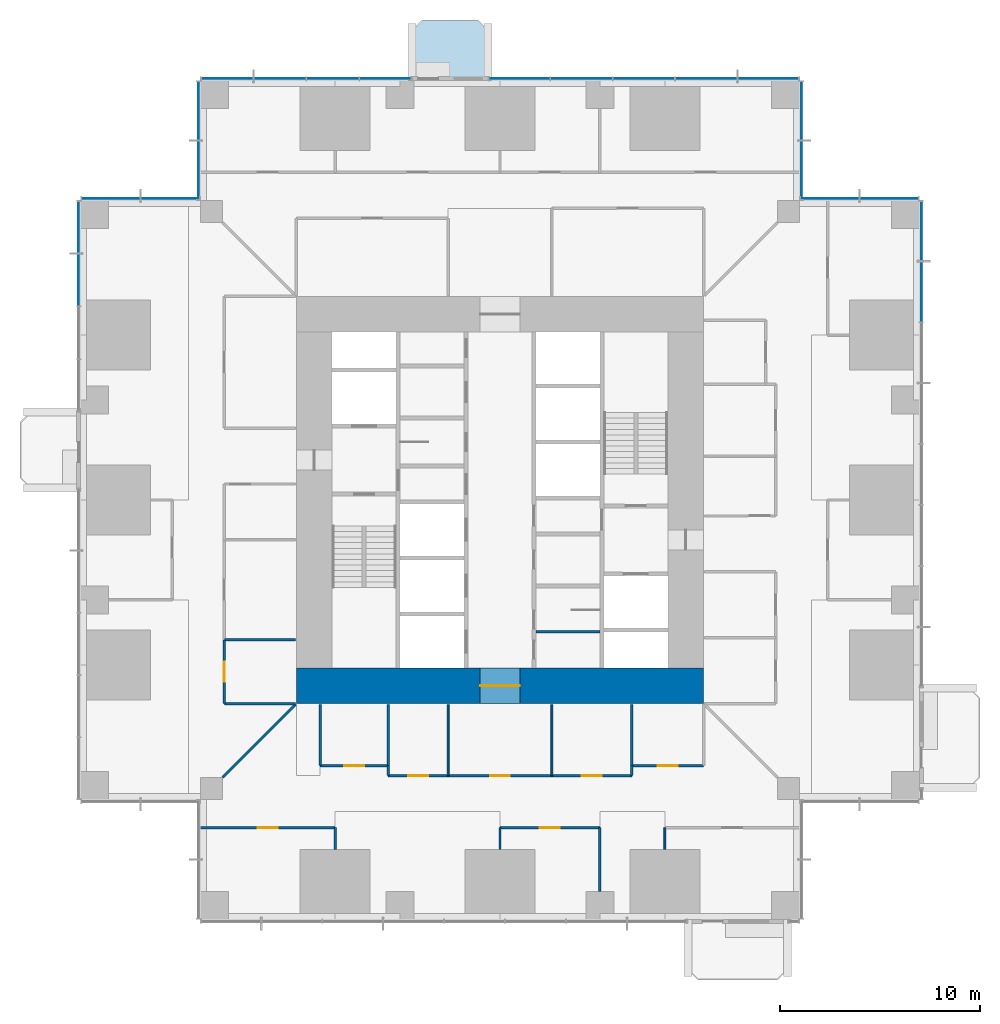
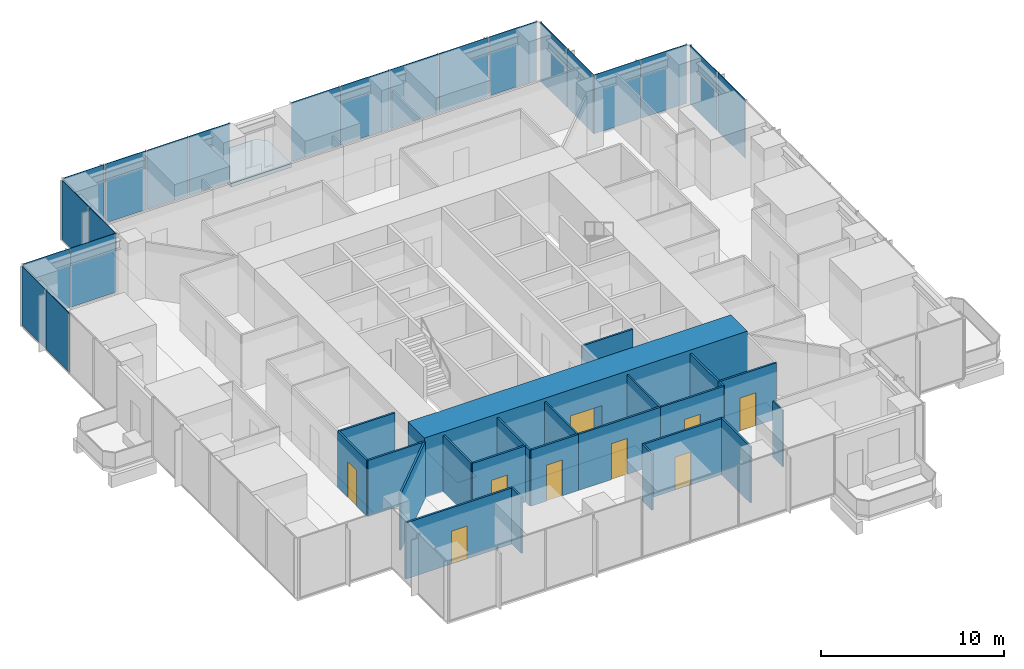
# One storey, part 9 of 16: 24 walls, 21 plates, 9 doors, 1 slab, 9 openings, 8 elements without a shape of their own.
"""IFC4 building model written with IfcOpenShell, lengths in metres."""

from ifc_helpers import new_model, si_unit, direction, frame, frame_2d, origin, origin_2d, place, context, subcontext, project, spatial, polyline, rectangle, outline, extrude, material, layer, layer_set, type_object, element, fill, aggregate, save


model = new_model("IFC4")

# Units and contexts
model_context = context("Model", 3, precision=1e-05, world=origin(), true_north=direction((0.0, 1.0)))
body_context = subcontext(model_context, "Body", "Model", "MODEL_VIEW")
ifc_project = project(units=[si_unit("LENGTHUNIT", "METRE"), si_unit("AREAUNIT", "SQUARE_METRE"), si_unit("VOLUMEUNIT", "CUBIC_METRE"), si_unit("PLANEANGLEUNIT", "RADIAN"), si_unit("MASSUNIT", "GRAM", prefix="KILO")], contexts=[model_context])

# Site, building, storey
site_placement = place(None, origin())
site = spatial("IfcSite", under=ifc_project, at=site_placement, CompositionType="ELEMENT")
building_placement = place(site_placement, origin())
building = spatial("IfcBuilding", under=site, at=building_placement, Name="Svetlomir Tower", CompositionType="ELEMENT")
storey_placement = place(building_placement, frame((0.0, 0.0, 50.5)))
storey = spatial("IfcBuildingStorey", under=building, at=storey_placement, Name="L11", CompositionType="ELEMENT", Elevation=50.5)

# Slab
ifc_material_1 = material(Name="Concrete C60/75", Category="concrete")
ifc_layer_1 = layer(ifc_material_1, 0.25)
ifc_layer_set_1 = layer_set([ifc_layer_1], Name="Concrete C60/75")
slab_type = type_object("IfcSlabType", Name="BALCONY SLAB 250", PredefinedType="FLOOR", material=ifc_layer_set_1)
slab_placement = place(storey_placement, frame((0.0, 0.0, -0.25)))
element("IfcSlab", 1, at=slab_placement, inside=storey, type_object=slab_type, Name="L11 N planted balcony", PredefinedType="FLOOR", context=body_context, shape_type="SweptSolid", body=[
    extrude(outline(polyline([(16.60009765625, 42.0), (20.39990234375, 42.0), (20.39990234375, 44.5), (19.89990234375, 45.0), (17.10009765625, 45.0), (16.60009765625, 44.5), (16.60009765625, 42.0)])), origin(), (0.0, 0.0, 1.0), 0.25),
])

# Curtain wall, plates
ifc_material_2 = material(Name="Bronze anodised aluminium curtain wall", Category="aluminium")
curtain_wall_type = type_object("IfcCurtainWallType", Name="CURTAIN WALL CW1 TOWER OFFICE", PredefinedType="NOTDEFINED", material=ifc_material_2)
curtain_wall_1_placement = place(storey_placement, origin())
curtain_wall_1 = element("IfcCurtainWall", 2, at=curtain_wall_1_placement, inside=storey, type_object=curtain_wall_type, Name="Curtain wall CW1 L11", PredefinedType="NOTDEFINED")
ifc_material_3 = material(Name="Tinted double glazed unit", Category="glass")
ifc_layer_2 = layer(ifc_material_3, 0.031982421875)
ifc_layer_set_2 = layer_set([ifc_layer_2], Name="Tinted double glazed unit")
plate_type = type_object("IfcPlateType", Name="CW1 GLAZED PANEL 32", PredefinedType="CURTAIN_PANEL", material=ifc_layer_set_2)
plate_1_placement = place(storey_placement, frame((42.10009765625, 31.425048828125, 0.06494140625), z_axis=(0.0, 0.0, 1.0), x_axis=(0.0, 1.0, 0.0)))
plate_1 = element("IfcPlate", 3, at=plate_1_placement, type_object=plate_type, Name="CW1 panel 7.1", PredefinedType="CURTAIN_PANEL", context=body_context, shape_type="SweptSolid", body=[
    extrude(rectangle(XDim=2.985107421875, YDim=0.031982421875, at=origin_2d()), origin(), (0.0, 0.0, 1.0), 3.93505859375),
])
plate_2_placement = place(storey_placement, frame((42.10009765625, 34.458740234375, 0.06494140625), z_axis=(0.0, 0.0, 1.0), x_axis=(0.0, 1.0, 0.0)))
plate_2 = element("IfcPlate", 4, at=plate_2_placement, type_object=plate_type, Name="CW1 panel 8.1", PredefinedType="CURTAIN_PANEL", context=body_context, shape_type="SweptSolid", body=[
    extrude(rectangle(XDim=2.952392578125, YDim=0.031982421875, at=origin_2d()), origin(), (0.0, 0.0, 1.0), 3.93505859375),
])
aggregate(curtain_wall_1, [plate_1, plate_2])

curtain_wall_2_placement = place(storey_placement, origin())
curtain_wall_2 = element("IfcCurtainWall", 5, at=curtain_wall_2_placement, inside=storey, type_object=curtain_wall_type, Name="Curtain wall CW1 L11", PredefinedType="NOTDEFINED")
plate_3_placement = place(storey_placement, frame((40.483642578125, 36.10009765625, 0.06494140625), z_axis=(0.0, 0.0, 1.0), x_axis=(-1.0, 0.0, 0.0)))
plate_3 = element("IfcPlate", 6, at=plate_3_placement, type_object=plate_type, Name="CW1 panel 1.1", PredefinedType="CURTAIN_PANEL", context=body_context, shape_type="SweptSolid", body=[
    extrude(rectangle(XDim=2.902587890625, YDim=0.031982421875, at=origin_2d()), origin(), (0.0, 0.0, 1.0), 3.93505859375),
])
plate_4_placement = place(storey_placement, frame((37.516357421875, 36.10009765625, 0.06494140625), z_axis=(0.0, 0.0, 1.0), x_axis=(-1.0, 0.0, 0.0)))
plate_4 = element("IfcPlate", 7, at=plate_4_placement, type_object=plate_type, Name="CW1 panel 2.1", PredefinedType="CURTAIN_PANEL", context=body_context, shape_type="SweptSolid", body=[
    extrude(rectangle(XDim=2.902587890625, YDim=0.031982421875, at=origin_2d()), origin(), (0.0, 0.0, 1.0), 3.93505859375),
])
aggregate(curtain_wall_2, [plate_3, plate_4])

curtain_wall_3_placement = place(storey_placement, origin())
curtain_wall_3 = element("IfcCurtainWall", 8, at=curtain_wall_3_placement, inside=storey, type_object=curtain_wall_type, Name="Curtain wall CW1 L11", PredefinedType="NOTDEFINED")
plate_5_placement = place(storey_placement, frame((36.10009765625, 37.516357421875, 0.06494140625), z_axis=(0.0, 0.0, 1.0), x_axis=(0.0, 1.0, 0.0)))
plate_5 = element("IfcPlate", 9, at=plate_5_placement, type_object=plate_type, Name="CW1 panel 1.1", PredefinedType="CURTAIN_PANEL", context=body_context, shape_type="SweptSolid", body=[
    extrude(rectangle(XDim=2.902587890625, YDim=0.031982421875, at=origin_2d()), origin(), (0.0, 0.0, 1.0), 3.93505859375),
])
plate_6_placement = place(storey_placement, frame((36.10009765625, 40.483642578125, 0.06494140625), z_axis=(0.0, 0.0, 1.0), x_axis=(0.0, 1.0, 0.0)))
plate_6 = element("IfcPlate", 10, at=plate_6_placement, type_object=plate_type, Name="CW1 panel 2.1", PredefinedType="CURTAIN_PANEL", context=body_context, shape_type="SweptSolid", body=[
    extrude(rectangle(XDim=2.902587890625, YDim=0.031982421875, at=origin_2d()), origin(), (0.0, 0.0, 1.0), 3.93505859375),
])
aggregate(curtain_wall_3, [plate_5, plate_6])

curtain_wall_4_placement = place(storey_placement, origin())
curtain_wall_4 = element("IfcCurtainWall", 11, at=curtain_wall_4_placement, inside=storey, type_object=curtain_wall_type, Name="Curtain wall CW1 L11", PredefinedType="NOTDEFINED")
plate_7_placement = place(storey_placement, frame((34.423828125, 42.10009765625, 0.06494140625), z_axis=(0.0, 0.0, 1.0), x_axis=(-1.0, 0.0, 0.0)))
plate_7 = element("IfcPlate", 12, at=plate_7_placement, type_object=plate_type, Name="CW1 panel 1.1", PredefinedType="CURTAIN_PANEL", context=body_context, shape_type="SweptSolid", body=[
    extrude(rectangle(XDim=3.0224609375, YDim=0.031982421875, at=origin_2d()), origin(), (0.0, 0.0, 1.0), 3.93505859375),
])
plate_8_placement = place(storey_placement, frame((31.320068359375, 42.10009765625, 0.06494140625), z_axis=(0.0, 0.0, 1.0), x_axis=(-1.0, 0.0, 0.0)))
plate_8 = element("IfcPlate", 13, at=plate_8_placement, type_object=plate_type, Name="CW1 panel 2.1", PredefinedType="CURTAIN_PANEL", context=body_context, shape_type="SweptSolid", body=[
    extrude(rectangle(XDim=3.054931640625, YDim=0.031982421875, at=origin_2d()), origin(), (0.0, 0.0, 1.0), 3.93505859375),
])
plate_9_placement = place(storey_placement, frame((28.199951171875, 42.10009765625, 0.06494140625), z_axis=(0.0, 0.0, 1.0), x_axis=(-1.0, 0.0, 0.0)))
plate_9 = element("IfcPlate", 14, at=plate_9_placement, type_object=plate_type, Name="CW1 panel 3.1", PredefinedType="CURTAIN_PANEL", context=body_context, shape_type="SweptSolid", body=[
    extrude(rectangle(XDim=3.054931640625, YDim=0.031982421875, at=origin_2d()), origin(), (0.0, 0.0, 1.0), 3.93505859375),
])
plate_10_placement = place(storey_placement, frame((25.080078125, 42.10009765625, 0.06494140625), z_axis=(0.0, 0.0, 1.0), x_axis=(-1.0, 0.0, 0.0)))
plate_10 = element("IfcPlate", 15, at=plate_10_placement, type_object=plate_type, Name="CW1 panel 4.1", PredefinedType="CURTAIN_PANEL", context=body_context, shape_type="SweptSolid", body=[
    extrude(rectangle(XDim=3.054931640625, YDim=0.031982421875, at=origin_2d()), origin(), (0.0, 0.0, 1.0), 3.93505859375),
])
plate_11_placement = place(storey_placement, frame((21.976318359375, 42.10009765625, 0.06494140625), z_axis=(0.0, 0.0, 1.0), x_axis=(-1.0, 0.0, 0.0)))
plate_11 = element("IfcPlate", 16, at=plate_11_placement, type_object=plate_type, Name="CW1 panel 5.1", PredefinedType="CURTAIN_PANEL", context=body_context, shape_type="SweptSolid", body=[
    extrude(rectangle(XDim=3.0224609375, YDim=0.031982421875, at=origin_2d()), origin(), (0.0, 0.0, 1.0), 3.93505859375),
])
aggregate(curtain_wall_4, [plate_7, plate_8, plate_9, plate_10, plate_11])

curtain_wall_5_placement = place(storey_placement, origin())
curtain_wall_5 = element("IfcCurtainWall", 17, at=curtain_wall_5_placement, inside=storey, type_object=curtain_wall_type, Name="Curtain wall CW1 L11", PredefinedType="NOTDEFINED")
plate_12_placement = place(storey_placement, frame((15.2587890625, 42.10009765625, 0.06494140625), z_axis=(0.0, 0.0, 1.0), x_axis=(-1.0, 0.0, 0.0)))
plate_12 = element("IfcPlate", 18, at=plate_12_placement, type_object=plate_type, Name="CW1 panel 1.1", PredefinedType="CURTAIN_PANEL", context=body_context, shape_type="SweptSolid", body=[
    extrude(rectangle(XDim=2.552490234375, YDim=0.031982421875, at=origin_2d()), origin(), (0.0, 0.0, 1.0), 3.93505859375),
])
plate_13_placement = place(storey_placement, frame((12.625, 42.10009765625, 0.06494140625), z_axis=(0.0, 0.0, 1.0), x_axis=(-1.0, 0.0, 0.0)))
plate_13 = element("IfcPlate", 19, at=plate_13_placement, type_object=plate_type, Name="CW1 panel 2.1", PredefinedType="CURTAIN_PANEL", context=body_context, shape_type="SweptSolid", body=[
    extrude(rectangle(XDim=2.5849609375, YDim=0.031982421875, at=origin_2d()), origin(), (0.0, 0.0, 1.0), 3.93505859375),
])
plate_14_placement = place(storey_placement, frame((9.97509765625, 42.10009765625, 0.06494140625), z_axis=(0.0, 0.0, 1.0), x_axis=(-1.0, 0.0, 0.0)))
plate_14 = element("IfcPlate", 20, at=plate_14_placement, type_object=plate_type, Name="CW1 panel 3.1", PredefinedType="CURTAIN_PANEL", context=body_context, shape_type="SweptSolid", body=[
    extrude(rectangle(XDim=2.5849609375, YDim=0.031982421875, at=origin_2d()), origin(), (0.0, 0.0, 1.0), 3.93505859375),
])
plate_15_placement = place(storey_placement, frame((7.34130859375, 42.10009765625, 0.06494140625), z_axis=(0.0, 0.0, 1.0), x_axis=(-1.0, 0.0, 0.0)))
plate_15 = element("IfcPlate", 21, at=plate_15_placement, type_object=plate_type, Name="CW1 panel 4.1", PredefinedType="CURTAIN_PANEL", context=body_context, shape_type="SweptSolid", body=[
    extrude(rectangle(XDim=2.552490234375, YDim=0.031982421875, at=origin_2d()), origin(), (0.0, 0.0, 1.0), 3.93505859375),
])
aggregate(curtain_wall_5, [plate_12, plate_13, plate_14, plate_15])

curtain_wall_6_placement = place(storey_placement, origin())
curtain_wall_6 = element("IfcCurtainWall", 22, at=curtain_wall_6_placement, inside=storey, type_object=curtain_wall_type, Name="Curtain wall CW1 L11", PredefinedType="NOTDEFINED")
plate_16_placement = place(storey_placement, frame((5.89990234375, 40.483642578125, 0.06494140625), z_axis=(0.0, 0.0, 1.0), x_axis=(0.0, -1.0, 0.0)))
plate_16 = element("IfcPlate", 23, at=plate_16_placement, type_object=plate_type, Name="CW1 panel 1.1", PredefinedType="CURTAIN_PANEL", context=body_context, shape_type="SweptSolid", body=[
    extrude(rectangle(XDim=2.902587890625, YDim=0.031982421875, at=origin_2d()), origin(), (0.0, 0.0, 1.0), 3.93505859375),
])
plate_17_placement = place(storey_placement, frame((5.89990234375, 37.516357421875, 0.06494140625), z_axis=(0.0, 0.0, 1.0), x_axis=(0.0, -1.0, 0.0)))
plate_17 = element("IfcPlate", 24, at=plate_17_placement, type_object=plate_type, Name="CW1 panel 2.1", PredefinedType="CURTAIN_PANEL", context=body_context, shape_type="SweptSolid", body=[
    extrude(rectangle(XDim=2.902587890625, YDim=0.031982421875, at=origin_2d()), origin(), (0.0, 0.0, 1.0), 3.93505859375),
])
aggregate(curtain_wall_6, [plate_16, plate_17])

curtain_wall_7_placement = place(storey_placement, origin())
curtain_wall_7 = element("IfcCurtainWall", 25, at=curtain_wall_7_placement, inside=storey, type_object=curtain_wall_type, Name="Curtain wall CW1 L11", PredefinedType="NOTDEFINED")
plate_18_placement = place(storey_placement, frame((4.483642578125, 36.10009765625, 0.06494140625), z_axis=(0.0, 0.0, 1.0), x_axis=(-1.0, 0.0, 0.0)))
plate_18 = element("IfcPlate", 26, at=plate_18_placement, type_object=plate_type, Name="CW1 panel 1.1", PredefinedType="CURTAIN_PANEL", context=body_context, shape_type="SweptSolid", body=[
    extrude(rectangle(XDim=2.902587890625, YDim=0.031982421875, at=origin_2d()), origin(), (0.0, 0.0, 1.0), 3.93505859375),
])
plate_19_placement = place(storey_placement, frame((1.516357421875, 36.10009765625, 0.06494140625), z_axis=(0.0, 0.0, 1.0), x_axis=(-1.0, 0.0, 0.0)))
plate_19 = element("IfcPlate", 27, at=plate_19_placement, type_object=plate_type, Name="CW1 panel 2.1", PredefinedType="CURTAIN_PANEL", context=body_context, shape_type="SweptSolid", body=[
    extrude(rectangle(XDim=2.902587890625, YDim=0.031982421875, at=origin_2d()), origin(), (0.0, 0.0, 1.0), 3.93505859375),
])
aggregate(curtain_wall_7, [plate_18, plate_19])

curtain_wall_8_placement = place(storey_placement, origin())
curtain_wall_8 = element("IfcCurtainWall", 28, at=curtain_wall_8_placement, inside=storey, type_object=curtain_wall_type, Name="Curtain wall CW1 L11", PredefinedType="NOTDEFINED")
plate_20_placement = place(storey_placement, frame((-0.10009765625, 34.65869140625, 0.06494140625), z_axis=(0.0, 0.0, 1.0), x_axis=(0.0, -1.0, 0.0)))
plate_20 = element("IfcPlate", 29, at=plate_20_placement, type_object=plate_type, Name="CW1 panel 1.1", PredefinedType="CURTAIN_PANEL", context=body_context, shape_type="SweptSolid", body=[
    extrude(rectangle(XDim=2.552490234375, YDim=0.031982421875, at=origin_2d()), origin(), (0.0, 0.0, 1.0), 3.93505859375),
])
plate_21_placement = place(storey_placement, frame((-0.10009765625, 32.02490234375, 0.06494140625), z_axis=(0.0, 0.0, 1.0), x_axis=(0.0, -1.0, 0.0)))
plate_21 = element("IfcPlate", 30, at=plate_21_placement, type_object=plate_type, Name="CW1 panel 2.1", PredefinedType="CURTAIN_PANEL", context=body_context, shape_type="SweptSolid", body=[
    extrude(rectangle(XDim=2.5849609375, YDim=0.031982421875, at=origin_2d()), origin(), (0.0, 0.0, 1.0), 3.93505859375),
])
aggregate(curtain_wall_8, [plate_20, plate_21])

# Wall, opening, door
ifc_material_4 = material(Name="Concrete C60/75", Category="concrete")
ifc_layer_3 = layer(ifc_material_4, 1.800048828125)
ifc_layer_set_3 = layer_set([ifc_layer_3], Name="Concrete C60/75")
wall_type_1 = type_object("IfcWallType", Name="CORE WALL 1800", PredefinedType="SHEAR", material=ifc_layer_set_3)
wall_1_placement = place(storey_placement, frame((10.800048828125, 11.699951171875, -0.050048828125), z_axis=(0.0, 0.0, 1.0), x_axis=(1.0, 0.0, 0.0)))
wall_1 = element("IfcWall", 31, at=wall_1_placement, inside=storey, type_object=wall_type_1, Name="Core wall south L11", PredefinedType="SHEAR", context=body_context, shape_type="SweptSolid", body=[
    extrude(rectangle(XDim=20.39990234375, YDim=1.800048828125, at=frame_2d((10.199951171875, 0.0))), origin(), (0.0, 0.0, 1.0), 4.0),
])
opening_1_placement = place(wall_1_placement, frame((9.199951171875, 0.0, 0.050048828125)))
opening_1 = element("IfcOpeningElement", 32, at=opening_1_placement, cuts=wall_1, Name="Opening DL", PredefinedType="OPENING", context=body_context, shape_type="SweptSolid", body=[
    extrude(rectangle(XDim=2.0, YDim=2.199951171875, at=frame_2d((1.0, 1.10009765625))), frame((0.0, 0.91015625, 0.0), z_axis=(0.0, -1.0, 0.0), x_axis=(1.0, 0.0, 0.0)), (0.0, 0.0, 1.0), 1.820068359375),
])
ifc_material_5 = material(Name="Steel fire door", Category="steel")
door_type_1 = type_object("IfcDoorType", Name="DOOR DL 2000x2200", OperationType="DOUBLE_DOOR_SINGLE_SWING", PredefinedType="DOOR", material=ifc_material_5)
door_1_placement = place(opening_1_placement, origin())
door_1 = element("IfcDoor", 33, at=door_1_placement, inside=storey, type_object=door_type_1, Name="Lift lobby south door L11", OperationType="DOUBLE_DOOR_SINGLE_SWING", OverallHeight=2.199951171875, OverallWidth=2.0, PredefinedType="DOOR", context=body_context, shape_type="SweptSolid", body=[
    extrude(rectangle(XDim=2.0, YDim=2.199951171875, at=frame_2d((1.0, 1.10009765625))), frame((0.0, 0.02490234375, 0.0), z_axis=(0.0, -1.0, 0.0), x_axis=(1.0, 0.0, 0.0)), (0.0, 0.0, 1.0), 0.050048828125),
])
fill(opening_1, door_1)

# Walls
ifc_material_6 = material(Name="Framed laminated glass partition", Category="glass")
ifc_layer_4 = layer(ifc_material_6, 0.10009765625)
ifc_layer_set_4 = layer_set([ifc_layer_4], Name="Framed laminated glass partition")
wall_type_2 = type_object("IfcWallType", Name="GLAZED PARTITION 100", PredefinedType="PARTITIONING", material=ifc_layer_set_4)
for number, where, z_axis, x_axis, name in (
    (34, (18.39990234375, 7.199951171875, 0.0), (0.0, 0.0, 1.0), (0.0, 1.0, 0.0), "Glazed partition L11"),
    (35, (23.60009765625, 7.199951171875, 0.0), (0.0, 0.0, 1.0), (0.0, 1.0, 0.0), "Glazed partition L11"),
):
    element("IfcWall", number, at=place(storey_placement, frame(where, z_axis=z_axis, x_axis=x_axis)), inside=storey, type_object=wall_type_2, Name=name, PredefinedType="PARTITIONING", context=body_context, shape_type="SweptSolid", body=[
        extrude(rectangle(XDim=3.550048828125, YDim=0.10009765625, at=frame_2d((1.77490234375, 0.0))), origin(), (0.0, 0.0, 1.0), 3.75),
    ])
wall_2_placement = place(storey_placement, frame((29.25, 3.510009765625, 0.0), z_axis=(0.0, 0.0, 1.0), x_axis=(0.0, 1.0, 0.0)))
element("IfcWall", 36, at=wall_2_placement, inside=storey, type_object=wall_type_2, Name="Glazed partition L11", PredefinedType="PARTITIONING", context=body_context, shape_type="SweptSolid", body=[
    extrude(rectangle(XDim=1.090087890625, YDim=0.10009765625, at=frame_2d((0.544921875, 0.0))), origin(), (0.0, 0.0, 1.0), 3.75),
])
ifc_material_7 = material(Name="Gypsum board on steel studs", Category="steel")
ifc_layer_5 = layer(ifc_material_7, 0.1201171875)
ifc_layer_set_5 = layer_set([ifc_layer_5], Name="Gypsum board on steel studs")
wall_type_3 = type_object("IfcWallType", Name="PARTITION 120", PredefinedType="PARTITIONING", material=ifc_layer_set_5)
wall_3_placement = place(storey_placement, frame((22.800048828125, 14.39990234375, 0.0), z_axis=(0.0, 0.0, 1.0), x_axis=(1.0, 0.0, 0.0)))
element("IfcWall", 37, at=wall_3_placement, inside=storey, type_object=wall_type_3, Name="Floor store partition L11", PredefinedType="PARTITIONING", context=body_context, shape_type="SweptSolid", body=[
    extrude(rectangle(XDim=3.199951171875, YDim=0.1201171875, at=frame_2d((1.60009765625, 0.0))), origin(), (0.0, 0.0, 1.0), 3.75),
])

# Wall, opening, door
wall_4_placement = place(storey_placement, frame((6.0, 4.60009765625, 0.0), z_axis=(0.0, 0.0, 1.0), x_axis=(1.0, 0.0, 0.0)))
wall_4 = element("IfcWall", 38, at=wall_4_placement, inside=storey, type_object=wall_type_3, Name="Partition L11", PredefinedType="PARTITIONING", context=body_context, shape_type="SweptSolid", body=[
    extrude(rectangle(XDim=6.75, YDim=0.1201171875, at=frame_2d((3.375, 0.0))), origin(), (0.0, 0.0, 1.0), 3.75),
])
opening_2_placement = place(wall_4_placement, frame((2.875, 0.0, 0.0)))
opening_2 = element("IfcOpeningElement", 39, at=opening_2_placement, cuts=wall_4, Name="Opening DR", PredefinedType="OPENING", context=body_context, shape_type="SweptSolid", body=[
    extrude(rectangle(XDim=1.0, YDim=2.199951171875, at=frame_2d((0.5, 1.10009765625))), frame((0.0, 0.070068359375, 0.0), z_axis=(0.0, -1.0, 0.0), x_axis=(1.0, 0.0, 0.0)), (0.0, 0.0, 1.0), 0.14013671875),
])
ifc_material_8 = material(Name="Timber door, glazed side light", Category="wood")
door_type_2 = type_object("IfcDoorType", Name="DOOR DR 1000x2200", OperationType="SINGLE_SWING_LEFT", PredefinedType="DOOR", material=ifc_material_8)
door_2_placement = place(opening_2_placement, origin())
door_2 = element("IfcDoor", 40, at=door_2_placement, inside=storey, type_object=door_type_2, Name="Head of data office door L11", OperationType="SINGLE_SWING_RIGHT", OverallHeight=2.199951171875, OverallWidth=1.0, PredefinedType="DOOR", context=body_context, shape_type="SweptSolid", body=[
    extrude(rectangle(XDim=1.0, YDim=2.199951171875, at=frame_2d((0.5, 1.10009765625))), frame((0.0, 0.02490234375, 0.0), z_axis=(0.0, -1.0, 0.0), x_axis=(1.0, 0.0, 0.0)), (0.0, 0.0, 1.0), 0.050048828125),
])
fill(opening_2, door_2)

# Wall
wall_5_placement = place(storey_placement, frame((7.110107421875, 7.110107421875, 0.0), z_axis=(0.0, 0.0, 1.0), x_axis=(0.707106781187, 0.707106781187, 0.0)))
element("IfcWall", 41, at=wall_5_placement, inside=storey, type_object=wall_type_3, Name="Partition L11", PredefinedType="PARTITIONING", context=body_context, shape_type="SweptSolid", body=[
    extrude(rectangle(XDim=5.168212890625, YDim=0.1201171875, at=frame_2d((2.583984375, 0.0))), origin(), (0.0, 0.0, 1.0), 3.75),
])

# Wall, opening, door
wall_6_placement = place(storey_placement, frame((7.199951171875, 10.800048828125, 0.0), z_axis=(0.0, 0.0, 1.0), x_axis=(0.0, 1.0, 0.0)))
wall_6 = element("IfcWall", 42, at=wall_6_placement, inside=storey, type_object=wall_type_3, Name="Partition L11", PredefinedType="PARTITIONING", context=body_context, shape_type="SweptSolid", body=[
    extrude(rectangle(XDim=3.199951171875, YDim=0.1201171875, at=frame_2d((1.60009765625, 0.0))), origin(), (0.0, 0.0, 1.0), 3.75),
])
opening_3_placement = place(wall_6_placement, frame((1.10009765625, 0.0, 0.0)))
opening_3 = element("IfcOpeningElement", 43, at=opening_3_placement, cuts=wall_6, Name="Opening DG", PredefinedType="OPENING", context=body_context, shape_type="SweptSolid", body=[
    extrude(rectangle(XDim=1.0, YDim=2.39990234375, at=frame_2d((0.5, 1.199951171875))), frame((0.0, 0.070068359375, 0.0), z_axis=(0.0, -1.0, 0.0), x_axis=(1.0, 0.0, 0.0)), (0.0, 0.0, 1.0), 0.14013671875),
])
ifc_material_9 = material(Name="Framed laminated glass door", Category="glass")
door_type_3 = type_object("IfcDoorType", Name="GLAZED DOOR DG 1000x2400", OperationType="SINGLE_SWING_LEFT", PredefinedType="DOOR", material=ifc_material_9)
door_3_placement = place(opening_3_placement, origin())
door_3 = element("IfcDoor", 44, at=door_3_placement, inside=storey, type_object=door_type_3, Name="Phone rooms door L11", OperationType="SINGLE_SWING_RIGHT", OverallHeight=2.39990234375, OverallWidth=1.0, PredefinedType="DOOR", context=body_context, shape_type="SweptSolid", body=[
    extrude(rectangle(XDim=1.0, YDim=2.39990234375, at=frame_2d((0.5, 1.199951171875))), frame((0.0, 0.02490234375, 0.0), z_axis=(0.0, -1.0, 0.0), x_axis=(1.0, 0.0, 0.0)), (0.0, 0.0, 1.0), 0.050048828125),
])
fill(opening_3, door_3)

# Walls
for number, where, z_axis, x_axis, name in (
    (45, (7.199951171875, 10.800048828125, 0.0), (0.0, 0.0, 1.0), (1.0, 0.0, 0.0), "Partition L11"),
    (46, (7.199951171875, 14.0, 0.0), (0.0, 0.0, 1.0), (1.0, 0.0, 0.0), "Partition L11"),
):
    element("IfcWall", number, at=place(storey_placement, frame(where, z_axis=z_axis, x_axis=x_axis)), inside=storey, type_object=wall_type_3, Name=name, PredefinedType="PARTITIONING", context=body_context, shape_type="SweptSolid", body=[
        extrude(rectangle(XDim=3.550048828125, YDim=0.1201171875, at=frame_2d((1.77490234375, 0.0))), origin(), (0.0, 0.0, 1.0), 3.75),
    ])
wall_7_placement = place(storey_placement, frame((12.0, 7.699951171875, 0.0), z_axis=(0.0, 0.0, 1.0), x_axis=(0.0, 1.0, 0.0)))
element("IfcWall", 47, at=wall_7_placement, inside=storey, type_object=wall_type_3, Name="Partition L11", PredefinedType="PARTITIONING", context=body_context, shape_type="SweptSolid", body=[
    extrude(rectangle(XDim=3.050048828125, YDim=0.1201171875, at=frame_2d((1.52490234375, 0.0))), origin(), (0.0, 0.0, 1.0), 3.75),
])

# Wall, opening, door
wall_8_placement = place(storey_placement, frame((12.0, 7.699951171875, 0.0), z_axis=(0.0, 0.0, 1.0), x_axis=(1.0, 0.0, 0.0)))
wall_8 = element("IfcWall", 48, at=wall_8_placement, inside=storey, type_object=wall_type_3, Name="Partition L11", PredefinedType="PARTITIONING", context=body_context, shape_type="SweptSolid", body=[
    extrude(rectangle(XDim=3.39990234375, YDim=0.1201171875, at=frame_2d((1.699951171875, 0.0))), origin(), (0.0, 0.0, 1.0), 3.75),
])
opening_4_placement = place(wall_8_placement, frame((1.199951171875, 0.0, 0.0)))
opening_4 = element("IfcOpeningElement", 49, at=opening_4_placement, cuts=wall_8, Name="Opening DR", PredefinedType="OPENING", context=body_context, shape_type="SweptSolid", body=[
    extrude(rectangle(XDim=1.0, YDim=2.199951171875, at=frame_2d((0.5, 1.10009765625))), frame((0.0, 0.070068359375, 0.0), z_axis=(0.0, -1.0, 0.0), x_axis=(1.0, 0.0, 0.0)), (0.0, 0.0, 1.0), 0.14013671875),
])
door_4_placement = place(opening_4_placement, origin())
door_4 = element("IfcDoor", 50, at=door_4_placement, inside=storey, type_object=door_type_2, Name="Secure print room door L11", OperationType="SINGLE_SWING_LEFT", OverallHeight=2.199951171875, OverallWidth=1.0, PredefinedType="DOOR", context=body_context, shape_type="SweptSolid", body=[
    extrude(rectangle(XDim=1.0, YDim=2.199951171875, at=frame_2d((0.5, 1.10009765625))), frame((0.0, 0.02490234375, 0.0), z_axis=(0.0, -1.0, 0.0), x_axis=(1.0, 0.0, 0.0)), (0.0, 0.0, 1.0), 0.050048828125),
])
fill(opening_4, door_4)

# Walls
wall_9_placement = place(storey_placement, frame((12.75, 3.510009765625, 0.0), z_axis=(0.0, 0.0, 1.0), x_axis=(0.0, 1.0, 0.0)))
element("IfcWall", 51, at=wall_9_placement, inside=storey, type_object=wall_type_3, Name="Partition L11", PredefinedType="PARTITIONING", context=body_context, shape_type="SweptSolid", body=[
    extrude(rectangle(XDim=1.090087890625, YDim=0.1201171875, at=frame_2d((0.544921875, 0.0))), origin(), (0.0, 0.0, 1.0), 3.75),
])
wall_10_placement = place(storey_placement, frame((15.39990234375, 7.199951171875, 0.0), z_axis=(0.0, 0.0, 1.0), x_axis=(0.0, 1.0, 0.0)))
element("IfcWall", 52, at=wall_10_placement, inside=storey, type_object=wall_type_3, Name="Partition L11", PredefinedType="PARTITIONING", context=body_context, shape_type="SweptSolid", body=[
    extrude(rectangle(XDim=0.5, YDim=0.1201171875, at=frame_2d((0.25, 0.0))), origin(), (0.0, 0.0, 1.0), 3.75),
])

# Wall, opening, door
wall_11_placement = place(storey_placement, frame((15.39990234375, 7.199951171875, 0.0), z_axis=(0.0, 0.0, 1.0), x_axis=(1.0, 0.0, 0.0)))
wall_11 = element("IfcWall", 53, at=wall_11_placement, inside=storey, type_object=wall_type_3, Name="Partition L11", PredefinedType="PARTITIONING", context=body_context, shape_type="SweptSolid", body=[
    extrude(rectangle(XDim=3.0, YDim=0.1201171875, at=frame_2d((1.5, 0.0))), origin(), (0.0, 0.0, 1.0), 3.75),
])
opening_5_placement = place(wall_11_placement, frame((1.0, 0.0, 0.0)))
opening_5 = element("IfcOpeningElement", 54, at=opening_5_placement, cuts=wall_11, Name="Opening DG", PredefinedType="OPENING", context=body_context, shape_type="SweptSolid", body=[
    extrude(rectangle(XDim=1.0, YDim=2.39990234375, at=frame_2d((0.5, 1.199951171875))), frame((0.0, 0.070068359375, 0.0), z_axis=(0.0, -1.0, 0.0), x_axis=(1.0, 0.0, 0.0)), (0.0, 0.0, 1.0), 0.14013671875),
])
door_5_placement = place(opening_5_placement, origin())
door_5 = element("IfcDoor", 55, at=door_5_placement, inside=storey, type_object=door_type_3, Name="Focus room door L11", OperationType="SINGLE_SWING_RIGHT", OverallHeight=2.39990234375, OverallWidth=1.0, PredefinedType="DOOR", context=body_context, shape_type="SweptSolid", body=[
    extrude(rectangle(XDim=1.0, YDim=2.39990234375, at=frame_2d((0.5, 1.199951171875))), frame((0.0, 0.02490234375, 0.0), z_axis=(0.0, -1.0, 0.0), x_axis=(1.0, 0.0, 0.0)), (0.0, 0.0, 1.0), 0.050048828125),
])
fill(opening_5, door_5)

# Wall
wall_12_placement = place(storey_placement, frame((15.39990234375, 7.699951171875, 0.0), z_axis=(0.0, 0.0, 1.0), x_axis=(0.0, 1.0, 0.0)))
element("IfcWall", 56, at=wall_12_placement, inside=storey, type_object=wall_type_3, Name="Partition L11", PredefinedType="PARTITIONING", context=body_context, shape_type="SweptSolid", body=[
    extrude(rectangle(XDim=3.050048828125, YDim=0.1201171875, at=frame_2d((1.52490234375, 0.0))), origin(), (0.0, 0.0, 1.0), 3.75),
])

# Wall, opening, door
wall_13_placement = place(storey_placement, frame((18.39990234375, 7.199951171875, 0.0), z_axis=(0.0, 0.0, 1.0), x_axis=(1.0, 0.0, 0.0)))
wall_13 = element("IfcWall", 57, at=wall_13_placement, inside=storey, type_object=wall_type_3, Name="Partition L11", PredefinedType="PARTITIONING", context=body_context, shape_type="SweptSolid", body=[
    extrude(rectangle(XDim=5.2001953125, YDim=0.1201171875, at=frame_2d((2.60009765625, 0.0))), origin(), (0.0, 0.0, 1.0), 3.75),
])
opening_6_placement = place(wall_13_placement, frame((2.10009765625, 0.0, 0.0)))
opening_6 = element("IfcOpeningElement", 58, at=opening_6_placement, cuts=wall_13, Name="Opening DG", PredefinedType="OPENING", context=body_context, shape_type="SweptSolid", body=[
    extrude(rectangle(XDim=1.0, YDim=2.39990234375, at=frame_2d((0.5, 1.199951171875))), frame((0.0, 0.070068359375, 0.0), z_axis=(0.0, -1.0, 0.0), x_axis=(1.0, 0.0, 0.0)), (0.0, 0.0, 1.0), 0.14013671875),
])
door_6_placement = place(opening_6_placement, origin())
door_6 = element("IfcDoor", 59, at=door_6_placement, inside=storey, type_object=door_type_3, Name="Ring corridor 1 door 3 L11", OperationType="SINGLE_SWING_RIGHT", OverallHeight=2.39990234375, OverallWidth=1.0, PredefinedType="DOOR", context=body_context, shape_type="SweptSolid", body=[
    extrude(rectangle(XDim=1.0, YDim=2.39990234375, at=frame_2d((0.5, 1.199951171875))), frame((0.0, 0.02490234375, 0.0), z_axis=(0.0, -1.0, 0.0), x_axis=(1.0, 0.0, 0.0)), (0.0, 0.0, 1.0), 0.050048828125),
])
fill(opening_6, door_6)

# Wall
wall_14_placement = place(storey_placement, frame((21.0, 3.510009765625, 0.0), z_axis=(0.0, 0.0, 1.0), x_axis=(0.0, 1.0, 0.0)))
element("IfcWall", 60, at=wall_14_placement, inside=storey, type_object=wall_type_3, Name="Partition L11", PredefinedType="PARTITIONING", context=body_context, shape_type="SweptSolid", body=[
    extrude(rectangle(XDim=1.090087890625, YDim=0.1201171875, at=frame_2d((0.544921875, 0.0))), origin(), (0.0, 0.0, 1.0), 3.75),
])

# Wall, opening, door
wall_15_placement = place(storey_placement, frame((21.0, 4.60009765625, 0.0), z_axis=(0.0, 0.0, 1.0), x_axis=(1.0, 0.0, 0.0)))
wall_15 = element("IfcWall", 61, at=wall_15_placement, inside=storey, type_object=wall_type_3, Name="Partition L11", PredefinedType="PARTITIONING", context=body_context, shape_type="SweptSolid", body=[
    extrude(rectangle(XDim=5.0, YDim=0.1201171875, at=frame_2d((2.5, 0.0))), origin(), (0.0, 0.0, 1.0), 3.75),
])
opening_7_placement = place(wall_15_placement, frame((2.0, 0.0, 0.0)))
opening_7 = element("IfcOpeningElement", 62, at=opening_7_placement, cuts=wall_15, Name="Opening DR", PredefinedType="OPENING", context=body_context, shape_type="SweptSolid", body=[
    extrude(rectangle(XDim=1.0, YDim=2.199951171875, at=frame_2d((0.5, 1.10009765625))), frame((0.0, 0.070068359375, 0.0), z_axis=(0.0, -1.0, 0.0), x_axis=(1.0, 0.0, 0.0)), (0.0, 0.0, 1.0), 0.14013671875),
])
door_7_placement = place(opening_7_placement, origin())
door_7 = element("IfcDoor", 63, at=door_7_placement, inside=storey, type_object=door_type_2, Name="Data engineers office door L11", OperationType="SINGLE_SWING_LEFT", OverallHeight=2.199951171875, OverallWidth=1.0, PredefinedType="DOOR", context=body_context, shape_type="SweptSolid", body=[
    extrude(rectangle(XDim=1.0, YDim=2.199951171875, at=frame_2d((0.5, 1.10009765625))), frame((0.0, 0.02490234375, 0.0), z_axis=(0.0, -1.0, 0.0), x_axis=(1.0, 0.0, 0.0)), (0.0, 0.0, 1.0), 0.050048828125),
])
fill(opening_7, door_7)

wall_16_placement = place(storey_placement, frame((23.60009765625, 7.199951171875, 0.0), z_axis=(0.0, 0.0, 1.0), x_axis=(1.0, 0.0, 0.0)))
wall_16 = element("IfcWall", 64, at=wall_16_placement, inside=storey, type_object=wall_type_3, Name="Partition L11", PredefinedType="PARTITIONING", context=body_context, shape_type="SweptSolid", body=[
    extrude(rectangle(XDim=4.0, YDim=0.1201171875, at=frame_2d((2.0, 0.0))), origin(), (0.0, 0.0, 1.0), 3.75),
])
opening_8_placement = place(wall_16_placement, frame((1.5, 0.0, 0.0)))
opening_8 = element("IfcOpeningElement", 65, at=opening_8_placement, cuts=wall_16, Name="Opening DG", PredefinedType="OPENING", context=body_context, shape_type="SweptSolid", body=[
    extrude(rectangle(XDim=1.0, YDim=2.39990234375, at=frame_2d((0.5, 1.199951171875))), frame((0.0, 0.070068359375, 0.0), z_axis=(0.0, -1.0, 0.0), x_axis=(1.0, 0.0, 0.0)), (0.0, 0.0, 1.0), 0.14013671875),
])
door_8_placement = place(opening_8_placement, origin())
door_8 = element("IfcDoor", 66, at=door_8_placement, inside=storey, type_object=door_type_3, Name="Forensics lab door L11", OperationType="SINGLE_SWING_LEFT", OverallHeight=2.39990234375, OverallWidth=1.0, PredefinedType="DOOR", context=body_context, shape_type="SweptSolid", body=[
    extrude(rectangle(XDim=1.0, YDim=2.39990234375, at=frame_2d((0.5, 1.199951171875))), frame((0.0, 0.02490234375, 0.0), z_axis=(0.0, -1.0, 0.0), x_axis=(1.0, 0.0, 0.0)), (0.0, 0.0, 1.0), 0.050048828125),
])
fill(opening_8, door_8)

# Walls
wall_17_placement = place(storey_placement, frame((26.0, 1.409912109375, 0.0), z_axis=(0.0, 0.0, 1.0), x_axis=(0.0, 1.0, 0.0)))
element("IfcWall", 67, at=wall_17_placement, inside=storey, type_object=wall_type_3, Name="Partition L11", PredefinedType="PARTITIONING", context=body_context, shape_type="SweptSolid", body=[
    extrude(rectangle(XDim=3.190185546875, YDim=0.1201171875, at=frame_2d((1.59521484375, 0.0))), origin(), (0.0, 0.0, 1.0), 3.75),
])
wall_18_placement = place(storey_placement, frame((27.60009765625, 7.199951171875, 0.0), z_axis=(0.0, 0.0, 1.0), x_axis=(0.0, 1.0, 0.0)))
element("IfcWall", 68, at=wall_18_placement, inside=storey, type_object=wall_type_3, Name="Partition L11", PredefinedType="PARTITIONING", context=body_context, shape_type="SweptSolid", body=[
    extrude(rectangle(XDim=0.5, YDim=0.1201171875, at=frame_2d((0.25, 0.0))), origin(), (0.0, 0.0, 1.0), 3.75),
])
wall_19_placement = place(storey_placement, frame((27.60009765625, 7.699951171875, 0.0), z_axis=(0.0, 0.0, 1.0), x_axis=(0.0, 1.0, 0.0)))
element("IfcWall", 69, at=wall_19_placement, inside=storey, type_object=wall_type_3, Name="Partition L11", PredefinedType="PARTITIONING", context=body_context, shape_type="SweptSolid", body=[
    extrude(rectangle(XDim=3.050048828125, YDim=0.1201171875, at=frame_2d((1.52490234375, 0.0))), origin(), (0.0, 0.0, 1.0), 3.75),
])

# Wall, opening, door
wall_20_placement = place(storey_placement, frame((27.60009765625, 7.699951171875, 0.0), z_axis=(0.0, 0.0, 1.0), x_axis=(1.0, 0.0, 0.0)))
wall_20 = element("IfcWall", 70, at=wall_20_placement, inside=storey, type_object=wall_type_3, Name="Partition L11", PredefinedType="PARTITIONING", context=body_context, shape_type="SweptSolid", body=[
    extrude(rectangle(XDim=3.599853515625, YDim=0.1201171875, at=frame_2d((1.7998046875, 0.0))), origin(), (0.0, 0.0, 1.0), 3.75),
])
opening_9_placement = place(wall_20_placement, frame((1.300048828125, 0.0, 0.0)))
opening_9 = element("IfcOpeningElement", 71, at=opening_9_placement, cuts=wall_20, Name="Opening DR", PredefinedType="OPENING", context=body_context, shape_type="SweptSolid", body=[
    extrude(rectangle(XDim=1.0, YDim=2.199951171875, at=frame_2d((0.5, 1.10009765625))), frame((0.0, 0.070068359375, 0.0), z_axis=(0.0, -1.0, 0.0), x_axis=(1.0, 0.0, 0.0)), (0.0, 0.0, 1.0), 0.14013671875),
])
door_9_placement = place(opening_9_placement, origin())
door_9 = element("IfcDoor", 72, at=door_9_placement, inside=storey, type_object=door_type_2, Name="Evidence store door L11", OperationType="SINGLE_SWING_RIGHT", OverallHeight=2.199951171875, OverallWidth=1.0, PredefinedType="DOOR", context=body_context, shape_type="SweptSolid", body=[
    extrude(rectangle(XDim=1.0, YDim=2.199951171875, at=frame_2d((0.5, 1.10009765625))), frame((0.0, 0.02490234375, 0.0), z_axis=(0.0, -1.0, 0.0), x_axis=(1.0, 0.0, 0.0)), (0.0, 0.0, 1.0), 0.050048828125),
])
fill(opening_9, door_9)

save(model, "model.ifc")
